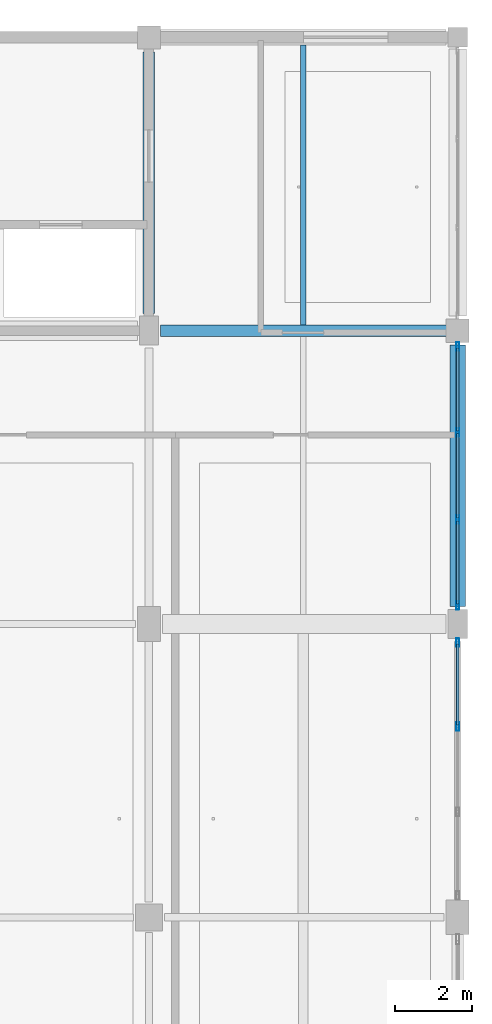
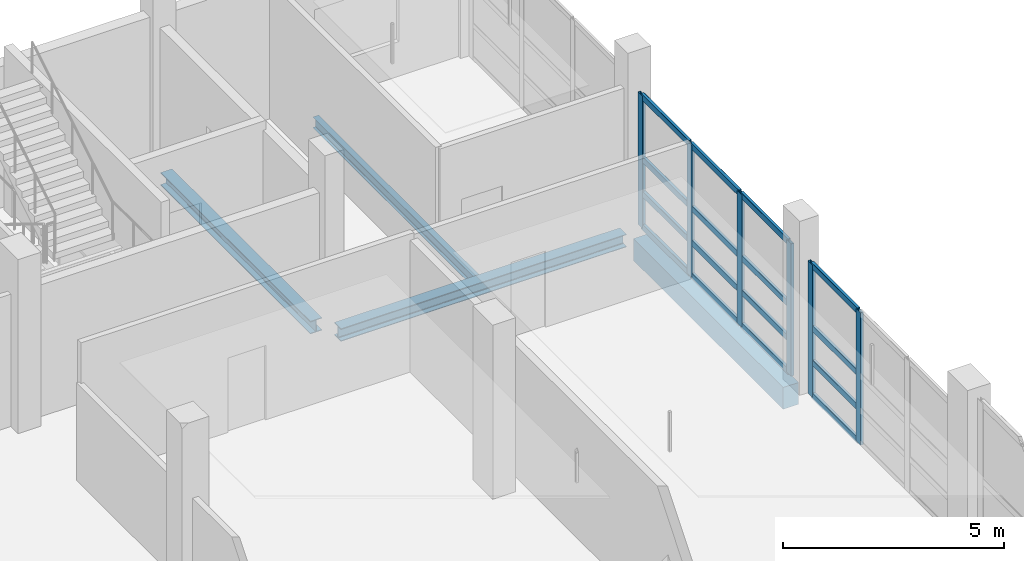
# One storey, part 64 of 147: 22 members, 4 beams, 2 elements without a shape of their own.
"""IFC4 building model written with IfcOpenShell, lengths in metres."""

from ifc_helpers import new_model, si_unit, direction, frame, origin, origin_2d, place, context, subcontext, project, spatial, rectangle, hollow_rectangle, i_section, extrude, material, material_profile, profile_set, type_object, element, aggregate, save


model = new_model("IFC4")

# Units and contexts
model_context = context("Model", 3, precision=1e-05, world=origin(), true_north=direction((0.0, 1.0)))
body_context = subcontext(model_context, "Body", "Model", "MODEL_VIEW")
ifc_project = project(units=[si_unit("LENGTHUNIT", "METRE"), si_unit("AREAUNIT", "SQUARE_METRE"), si_unit("VOLUMEUNIT", "CUBIC_METRE"), si_unit("PLANEANGLEUNIT", "RADIAN"), si_unit("MASSUNIT", "GRAM", prefix="KILO")], contexts=[model_context])

# Site, building, storey
site_placement = place(None, origin())
site = spatial("IfcSite", under=ifc_project, at=site_placement, CompositionType="ELEMENT")
building_placement = place(site_placement, origin())
building = spatial("IfcBuilding", under=site, at=building_placement, Name="Khelvaren Railside Concert Hall", CompositionType="ELEMENT")
storey_placement = place(building_placement, frame((0.0, 0.0, 5.39990234375)))
storey = spatial("IfcBuildingStorey", under=building, at=storey_placement, Name="L01", CompositionType="ELEMENT", Elevation=5.39990234375)

# Beams
ifc_material_1 = material(Name="Steel S355", Category="steel")
ifc_material_profile_1 = material_profile(ifc_material_1, i_section(OverallWidth=0.300048828125, OverallDepth=0.35009765625, WebThickness=0.010009765625, FlangeThickness=0.017578125, FilletRadius=0.027099609375, at=origin_2d()), Name="HEA 360")
ifc_profile_set_1 = profile_set([ifc_material_profile_1], Name="Steel S355")
beam_type_1 = type_object("IfcBeamType", Name="BM73", PredefinedType="BEAM", material=ifc_profile_set_1)
beam_1_placement = place(storey_placement, frame((176.300048828125, 106.39990234375, -0.474853515625), z_axis=(1.0, 0.0, 0.0), x_axis=(0.0, 1.0, 0.0)))
element("IfcBeam", 1, at=beam_1_placement, inside=storey, type_object=beam_type_1, Name="V5 L01 Beam X4.7", PredefinedType="BEAM", context=body_context, shape_type="SweptSolid", body=[
    extrude(i_section(OverallWidth=0.300048828125, OverallDepth=0.35009765625, WebThickness=0.010009765625, FlangeThickness=0.017578125, FilletRadius=0.027099609375, at=origin_2d()), origin(), (0.0, 0.0, 1.0), 7.449951171875),
])
beam_2_placement = place(storey_placement, frame((176.0, 106.85009765625, -0.474853515625), z_axis=(0.0, 1.0, 0.0), x_axis=(-1.0, 0.0, 0.0)))
element("IfcBeam", 2, at=beam_2_placement, inside=storey, type_object=beam_type_1, Name="V5 L01 Beam Y7.4", PredefinedType="BEAM", context=body_context, shape_type="SweptSolid", body=[
    extrude(i_section(OverallWidth=0.300048828125, OverallDepth=0.35009765625, WebThickness=0.010009765625, FlangeThickness=0.017578125, FilletRadius=0.027099609375, at=origin_2d()), origin(), (0.0, 0.0, 1.0), 6.77490234375),
])

# Curtain wall, members
ifc_material_2 = material(Name="Triple-glazed solar-control glass", Category="glass")
curtain_wall_type_1 = type_object("IfcCurtainWallType", Name="CW88", PredefinedType="USERDEFINED", material=ifc_material_2)
curtain_wall_1_placement = place(storey_placement, origin())
curtain_wall_1 = element("IfcCurtainWall", 3, at=curtain_wall_1_placement, inside=storey, type_object=curtain_wall_type_1, Name="Unitised Curtain Wall CW-V5-L01-E-91", ObjectType="UNITISED CURTAIN WALL", PredefinedType="USERDEFINED")
ifc_material_3 = material(Name="Anodised architectural aluminium 6063-T6", Category="aluminium")
ifc_material_profile_2 = material_profile(ifc_material_3, hollow_rectangle(XDim=0.074951171875, YDim=0.219970703125, WallThickness=0.0048828125, InnerFilletRadius=0.0029296875, OuterFilletRadius=0.0048828125, at=origin_2d()), Name="CWM 75x220x5")
ifc_profile_set_2 = profile_set([ifc_material_profile_2], Name="Anodised architectural aluminium 6063-T6")
member_type_1 = type_object("IfcMemberType", Name="CWM13", PredefinedType="MULLION", material=ifc_profile_set_2)
member_1_placement = place(storey_placement, frame((184.0, 98.31494140625, 0.0), z_axis=(0.0, 0.0, 1.0), x_axis=(1.0, 0.0, 0.0)))
member_1 = element("IfcMember", 4, at=member_1_placement, type_object=member_type_1, Name="CW88 mullion 1", PredefinedType="MULLION", context=body_context, shape_type="SweptSolid", body=[
    extrude(hollow_rectangle(XDim=0.074951171875, YDim=0.219970703125, WallThickness=0.0048828125, InnerFilletRadius=0.0029296875, OuterFilletRadius=0.0048828125, at=origin_2d()), origin(), (0.0, 0.0, 1.0), 3.650146484375),
])
member_2_placement = place(storey_placement, frame((184.0, 96.142578125, 0.0), z_axis=(0.0, 0.0, 1.0), x_axis=(1.0, 0.0, 0.0)))
member_2 = element("IfcMember", 5, at=member_2_placement, type_object=member_type_1, Name="CW88 mullion 2", PredefinedType="MULLION", context=body_context, shape_type="SweptSolid", body=[
    extrude(hollow_rectangle(XDim=0.074951171875, YDim=0.219970703125, WallThickness=0.0048828125, InnerFilletRadius=0.0029296875, OuterFilletRadius=0.0048828125, at=origin_2d()), origin(), (0.0, 0.0, 1.0), 3.650146484375),
])

curtain_wall_type_2 = type_object("IfcCurtainWallType", Name="CW14", PredefinedType="USERDEFINED", material=ifc_material_2)
curtain_wall_2_placement = place(storey_placement, origin())
curtain_wall_2 = element("IfcCurtainWall", 6, at=curtain_wall_2_placement, inside=storey, type_object=curtain_wall_type_2, Name="Unitised Curtain Wall CW-V5-L01-E-99", ObjectType="UNITISED CURTAIN WALL", PredefinedType="USERDEFINED")
member_3_placement = place(storey_placement, frame((184.0, 105.989990234375, 0.0), z_axis=(0.0, 0.0, 1.0), x_axis=(1.0, 0.0, 0.0)))
member_3 = element("IfcMember", 7, at=member_3_placement, type_object=member_type_1, Name="CW14 mullion 1", PredefinedType="MULLION", context=body_context, shape_type="SweptSolid", body=[
    extrude(hollow_rectangle(XDim=0.074951171875, YDim=0.219970703125, WallThickness=0.0048828125, InnerFilletRadius=0.0029296875, OuterFilletRadius=0.0048828125, at=origin_2d()), origin(), (0.0, 0.0, 1.0), 3.650146484375),
])
member_4_placement = place(storey_placement, frame((184.0, 103.767578125, 0.0), z_axis=(0.0, 0.0, 1.0), x_axis=(1.0, 0.0, 0.0)))
member_4 = element("IfcMember", 8, at=member_4_placement, type_object=member_type_1, Name="CW14 mullion 2", PredefinedType="MULLION", context=body_context, shape_type="SweptSolid", body=[
    extrude(hollow_rectangle(XDim=0.074951171875, YDim=0.219970703125, WallThickness=0.0048828125, InnerFilletRadius=0.0029296875, OuterFilletRadius=0.0048828125, at=origin_2d()), origin(), (0.0, 0.0, 1.0), 3.650146484375),
])
member_5_placement = place(storey_placement, frame((184.0, 101.507568359375, 0.0), z_axis=(0.0, 0.0, 1.0), x_axis=(1.0, 0.0, 0.0)))
member_5 = element("IfcMember", 9, at=member_5_placement, type_object=member_type_1, Name="CW14 mullion 3", PredefinedType="MULLION", context=body_context, shape_type="SweptSolid", body=[
    extrude(hollow_rectangle(XDim=0.074951171875, YDim=0.219970703125, WallThickness=0.0048828125, InnerFilletRadius=0.0029296875, OuterFilletRadius=0.0048828125, at=origin_2d()), origin(), (0.0, 0.0, 1.0), 3.650146484375),
])
member_6_placement = place(storey_placement, frame((184.0, 99.284912109375, 0.0), z_axis=(0.0, 0.0, 1.0), x_axis=(1.0, 0.0, 0.0)))
member_6 = element("IfcMember", 10, at=member_6_placement, type_object=member_type_1, Name="CW14 mullion 4", PredefinedType="MULLION", context=body_context, shape_type="SweptSolid", body=[
    extrude(hollow_rectangle(XDim=0.074951171875, YDim=0.219970703125, WallThickness=0.0048828125, InnerFilletRadius=0.0029296875, OuterFilletRadius=0.0048828125, at=origin_2d()), origin(), (0.0, 0.0, 1.0), 3.650146484375),
])

# Member
ifc_material_profile_3 = material_profile(ifc_material_3, hollow_rectangle(XDim=0.074951171875, YDim=0.1650390625, WallThickness=0.00390625, InnerFilletRadius=0.001953125, OuterFilletRadius=0.00390625, at=origin_2d()), Name="CWT 75x165x4")
ifc_profile_set_3 = profile_set([ifc_material_profile_3], Name="Anodised architectural aluminium 6063-T6")
member_type_2 = type_object("IfcMemberType", Name="CWT46", PredefinedType="USERDEFINED", material=ifc_profile_set_3)
member_7_placement = place(storey_placement, frame((184.0, 98.277587890625, 0.03759765625), z_axis=(0.0, -1.0, 0.0), x_axis=(1.0, 0.0, 0.0)))
member_7 = element("IfcMember", 11, at=member_7_placement, type_object=member_type_2, Name="CW88 transom 1.1", ObjectType="TRANSOM", PredefinedType="USERDEFINED", context=body_context, shape_type="SweptSolid", body=[
    extrude(hollow_rectangle(XDim=0.074951171875, YDim=0.1650390625, WallThickness=0.00390625, InnerFilletRadius=0.001953125, OuterFilletRadius=0.00390625, at=origin_2d()), origin(), (0.0, 0.0, 1.0), 2.09765625),
])

member_8_placement = place(storey_placement, frame((184.0, 98.277587890625, 0.9501953125), z_axis=(0.0, -1.0, 0.0), x_axis=(1.0, 0.0, 0.0)))
member_8 = element("IfcMember", 12, at=member_8_placement, type_object=member_type_2, Name="CW88 transom 1.2", ObjectType="TRANSOM", PredefinedType="USERDEFINED", context=body_context, shape_type="SweptSolid", body=[
    extrude(hollow_rectangle(XDim=0.074951171875, YDim=0.1650390625, WallThickness=0.00390625, InnerFilletRadius=0.001953125, OuterFilletRadius=0.00390625, at=origin_2d()), origin(), (0.0, 0.0, 1.0), 2.09765625),
])

member_9_placement = place(storey_placement, frame((184.0, 98.277587890625, 1.898193359375), z_axis=(0.0, -1.0, 0.0), x_axis=(1.0, 0.0, 0.0)))
member_9 = element("IfcMember", 13, at=member_9_placement, type_object=member_type_2, Name="CW88 transom 1.3", ObjectType="TRANSOM", PredefinedType="USERDEFINED", context=body_context, shape_type="SweptSolid", body=[
    extrude(hollow_rectangle(XDim=0.074951171875, YDim=0.1650390625, WallThickness=0.00390625, InnerFilletRadius=0.001953125, OuterFilletRadius=0.00390625, at=origin_2d()), origin(), (0.0, 0.0, 1.0), 2.09765625),
])

member_10_placement = place(storey_placement, frame((184.0, 98.277587890625, 3.612548828125), z_axis=(0.0, -1.0, 0.0), x_axis=(1.0, 0.0, 0.0)))
member_10 = element("IfcMember", 14, at=member_10_placement, type_object=member_type_2, Name="CW88 transom 1.4", ObjectType="TRANSOM", PredefinedType="USERDEFINED", context=body_context, shape_type="SweptSolid", body=[
    extrude(hollow_rectangle(XDim=0.074951171875, YDim=0.1650390625, WallThickness=0.00390625, InnerFilletRadius=0.001953125, OuterFilletRadius=0.00390625, at=origin_2d()), origin(), (0.0, 0.0, 1.0), 2.09765625),
])

aggregate(curtain_wall_1, [member_1, member_2, member_7, member_8, member_9, member_10])

member_11_placement = place(storey_placement, frame((184.0, 105.952392578125, 0.03759765625), z_axis=(0.0, -1.0, 0.0), x_axis=(1.0, 0.0, 0.0)))
member_11 = element("IfcMember", 15, at=member_11_placement, type_object=member_type_2, Name="CW14 transom 1.1", ObjectType="TRANSOM", PredefinedType="USERDEFINED", context=body_context, shape_type="SweptSolid", body=[
    extrude(hollow_rectangle(XDim=0.074951171875, YDim=0.1650390625, WallThickness=0.00390625, InnerFilletRadius=0.001953125, OuterFilletRadius=0.00390625, at=origin_2d()), origin(), (0.0, 0.0, 1.0), 2.1474609375),
])

member_12_placement = place(storey_placement, frame((184.0, 105.952392578125, 0.9501953125), z_axis=(0.0, -1.0, 0.0), x_axis=(1.0, 0.0, 0.0)))
member_12 = element("IfcMember", 16, at=member_12_placement, type_object=member_type_2, Name="CW14 transom 1.2", ObjectType="TRANSOM", PredefinedType="USERDEFINED", context=body_context, shape_type="SweptSolid", body=[
    extrude(hollow_rectangle(XDim=0.074951171875, YDim=0.1650390625, WallThickness=0.00390625, InnerFilletRadius=0.001953125, OuterFilletRadius=0.00390625, at=origin_2d()), origin(), (0.0, 0.0, 1.0), 2.1474609375),
])

member_13_placement = place(storey_placement, frame((184.0, 105.952392578125, 1.898193359375), z_axis=(0.0, -1.0, 0.0), x_axis=(1.0, 0.0, 0.0)))
member_13 = element("IfcMember", 17, at=member_13_placement, type_object=member_type_2, Name="CW14 transom 1.3", ObjectType="TRANSOM", PredefinedType="USERDEFINED", context=body_context, shape_type="SweptSolid", body=[
    extrude(hollow_rectangle(XDim=0.074951171875, YDim=0.1650390625, WallThickness=0.00390625, InnerFilletRadius=0.001953125, OuterFilletRadius=0.00390625, at=origin_2d()), origin(), (0.0, 0.0, 1.0), 2.1474609375),
])

member_14_placement = place(storey_placement, frame((184.0, 105.952392578125, 3.612548828125), z_axis=(0.0, -1.0, 0.0), x_axis=(1.0, 0.0, 0.0)))
member_14 = element("IfcMember", 18, at=member_14_placement, type_object=member_type_2, Name="CW14 transom 1.4", ObjectType="TRANSOM", PredefinedType="USERDEFINED", context=body_context, shape_type="SweptSolid", body=[
    extrude(hollow_rectangle(XDim=0.074951171875, YDim=0.1650390625, WallThickness=0.00390625, InnerFilletRadius=0.001953125, OuterFilletRadius=0.00390625, at=origin_2d()), origin(), (0.0, 0.0, 1.0), 2.1474609375),
])

member_15_placement = place(storey_placement, frame((184.0, 103.72998046875, 0.03759765625), z_axis=(0.0, -1.0, 0.0), x_axis=(1.0, 0.0, 0.0)))
member_15 = element("IfcMember", 19, at=member_15_placement, type_object=member_type_2, Name="CW14 transom 2.1", ObjectType="TRANSOM", PredefinedType="USERDEFINED", context=body_context, shape_type="SweptSolid", body=[
    extrude(hollow_rectangle(XDim=0.074951171875, YDim=0.1650390625, WallThickness=0.00390625, InnerFilletRadius=0.001953125, OuterFilletRadius=0.00390625, at=origin_2d()), origin(), (0.0, 0.0, 1.0), 2.18505859375),
])

member_16_placement = place(storey_placement, frame((184.0, 103.72998046875, 0.9501953125), z_axis=(0.0, -1.0, 0.0), x_axis=(1.0, 0.0, 0.0)))
member_16 = element("IfcMember", 20, at=member_16_placement, type_object=member_type_2, Name="CW14 transom 2.2", ObjectType="TRANSOM", PredefinedType="USERDEFINED", context=body_context, shape_type="SweptSolid", body=[
    extrude(hollow_rectangle(XDim=0.074951171875, YDim=0.1650390625, WallThickness=0.00390625, InnerFilletRadius=0.001953125, OuterFilletRadius=0.00390625, at=origin_2d()), origin(), (0.0, 0.0, 1.0), 2.18505859375),
])

member_17_placement = place(storey_placement, frame((184.0, 103.72998046875, 1.898193359375), z_axis=(0.0, -1.0, 0.0), x_axis=(1.0, 0.0, 0.0)))
member_17 = element("IfcMember", 21, at=member_17_placement, type_object=member_type_2, Name="CW14 transom 2.3", ObjectType="TRANSOM", PredefinedType="USERDEFINED", context=body_context, shape_type="SweptSolid", body=[
    extrude(hollow_rectangle(XDim=0.074951171875, YDim=0.1650390625, WallThickness=0.00390625, InnerFilletRadius=0.001953125, OuterFilletRadius=0.00390625, at=origin_2d()), origin(), (0.0, 0.0, 1.0), 2.18505859375),
])

member_18_placement = place(storey_placement, frame((184.0, 103.72998046875, 3.612548828125), z_axis=(0.0, -1.0, 0.0), x_axis=(1.0, 0.0, 0.0)))
member_18 = element("IfcMember", 22, at=member_18_placement, type_object=member_type_2, Name="CW14 transom 2.4", ObjectType="TRANSOM", PredefinedType="USERDEFINED", context=body_context, shape_type="SweptSolid", body=[
    extrude(hollow_rectangle(XDim=0.074951171875, YDim=0.1650390625, WallThickness=0.00390625, InnerFilletRadius=0.001953125, OuterFilletRadius=0.00390625, at=origin_2d()), origin(), (0.0, 0.0, 1.0), 2.18505859375),
])

member_19_placement = place(storey_placement, frame((184.0, 101.469970703125, 0.03759765625), z_axis=(0.0, -1.0, 0.0), x_axis=(1.0, 0.0, 0.0)))
member_19 = element("IfcMember", 23, at=member_19_placement, type_object=member_type_2, Name="CW14 transom 3.1", ObjectType="TRANSOM", PredefinedType="USERDEFINED", context=body_context, shape_type="SweptSolid", body=[
    extrude(hollow_rectangle(XDim=0.074951171875, YDim=0.1650390625, WallThickness=0.00390625, InnerFilletRadius=0.001953125, OuterFilletRadius=0.00390625, at=origin_2d()), origin(), (0.0, 0.0, 1.0), 2.1474609375),
])

member_20_placement = place(storey_placement, frame((184.0, 101.469970703125, 0.9501953125), z_axis=(0.0, -1.0, 0.0), x_axis=(1.0, 0.0, 0.0)))
member_20 = element("IfcMember", 24, at=member_20_placement, type_object=member_type_2, Name="CW14 transom 3.2", ObjectType="TRANSOM", PredefinedType="USERDEFINED", context=body_context, shape_type="SweptSolid", body=[
    extrude(hollow_rectangle(XDim=0.074951171875, YDim=0.1650390625, WallThickness=0.00390625, InnerFilletRadius=0.001953125, OuterFilletRadius=0.00390625, at=origin_2d()), origin(), (0.0, 0.0, 1.0), 2.1474609375),
])

member_21_placement = place(storey_placement, frame((184.0, 101.469970703125, 1.898193359375), z_axis=(0.0, -1.0, 0.0), x_axis=(1.0, 0.0, 0.0)))
member_21 = element("IfcMember", 25, at=member_21_placement, type_object=member_type_2, Name="CW14 transom 3.3", ObjectType="TRANSOM", PredefinedType="USERDEFINED", context=body_context, shape_type="SweptSolid", body=[
    extrude(hollow_rectangle(XDim=0.074951171875, YDim=0.1650390625, WallThickness=0.00390625, InnerFilletRadius=0.001953125, OuterFilletRadius=0.00390625, at=origin_2d()), origin(), (0.0, 0.0, 1.0), 2.1474609375),
])

member_22_placement = place(storey_placement, frame((184.0, 101.469970703125, 3.612548828125), z_axis=(0.0, -1.0, 0.0), x_axis=(1.0, 0.0, 0.0)))
member_22 = element("IfcMember", 26, at=member_22_placement, type_object=member_type_2, Name="CW14 transom 3.4", ObjectType="TRANSOM", PredefinedType="USERDEFINED", context=body_context, shape_type="SweptSolid", body=[
    extrude(hollow_rectangle(XDim=0.074951171875, YDim=0.1650390625, WallThickness=0.00390625, InnerFilletRadius=0.001953125, OuterFilletRadius=0.00390625, at=origin_2d()), origin(), (0.0, 0.0, 1.0), 2.1474609375),
])

aggregate(curtain_wall_2, [member_3, member_4, member_5, member_6, member_11, member_12, member_13, member_14, member_15, member_16, member_17, member_18, member_19, member_20, member_21, member_22])

# Beams
ifc_material_profile_4 = material_profile(ifc_material_1, i_section(OverallWidth=0.14990234375, OverallDepth=0.300048828125, WebThickness=0.007080078125, FlangeThickness=0.0107421875, FilletRadius=0.014892578125, at=origin_2d()), Name="IPE 300")
ifc_profile_set_4 = profile_set([ifc_material_profile_4], Name="Steel S355")
beam_type_2 = type_object("IfcBeamType", Name="JS26", PredefinedType="JOIST", material=ifc_profile_set_4)
beam_3_placement = place(storey_placement, frame((180.0, 106.550048828125, -0.449951171875), z_axis=(0.0, 1.0, 0.0), x_axis=(-1.0, 0.0, 0.0)))
element("IfcBeam", 27, at=beam_3_placement, inside=storey, type_object=beam_type_2, Name="V5 L01 Secondary Joist 7.4", PredefinedType="JOIST", context=body_context, shape_type="SweptSolid", body=[
    extrude(i_section(OverallWidth=0.14990234375, OverallDepth=0.300048828125, WebThickness=0.007080078125, FlangeThickness=0.0107421875, FilletRadius=0.014892578125, at=origin_2d()), origin(), (0.0, 0.0, 1.0), 7.25),
])
ifc_material_4 = material(Name="Concrete C40/50", Category="concrete")
ifc_material_profile_5 = material_profile(ifc_material_4, rectangle(XDim=0.39990234375, YDim=0.60009765625, at=origin_2d()), Name="RCB 400x600")
ifc_profile_set_5 = profile_set([ifc_material_profile_5], Name="Concrete C40/50")
beam_type_3 = type_object("IfcBeamType", Name="SP75", PredefinedType="SPANDREL", material=ifc_profile_set_5)
beam_4_placement = place(storey_placement, frame((184.0, 99.25, -0.599853515625), z_axis=(0.0, 1.0, 0.0), x_axis=(-1.0, 0.0, 0.0)))
element("IfcBeam", 28, at=beam_4_placement, inside=storey, type_object=beam_type_3, Name="V5 L01 Spandrel Y8.3", PredefinedType="SPANDREL", context=body_context, shape_type="SweptSolid", body=[
    extrude(rectangle(XDim=0.39990234375, YDim=0.60009765625, at=origin_2d()), origin(), (0.0, 0.0, 1.0), 6.77490234375),
])

save(model, "model.ifc")
